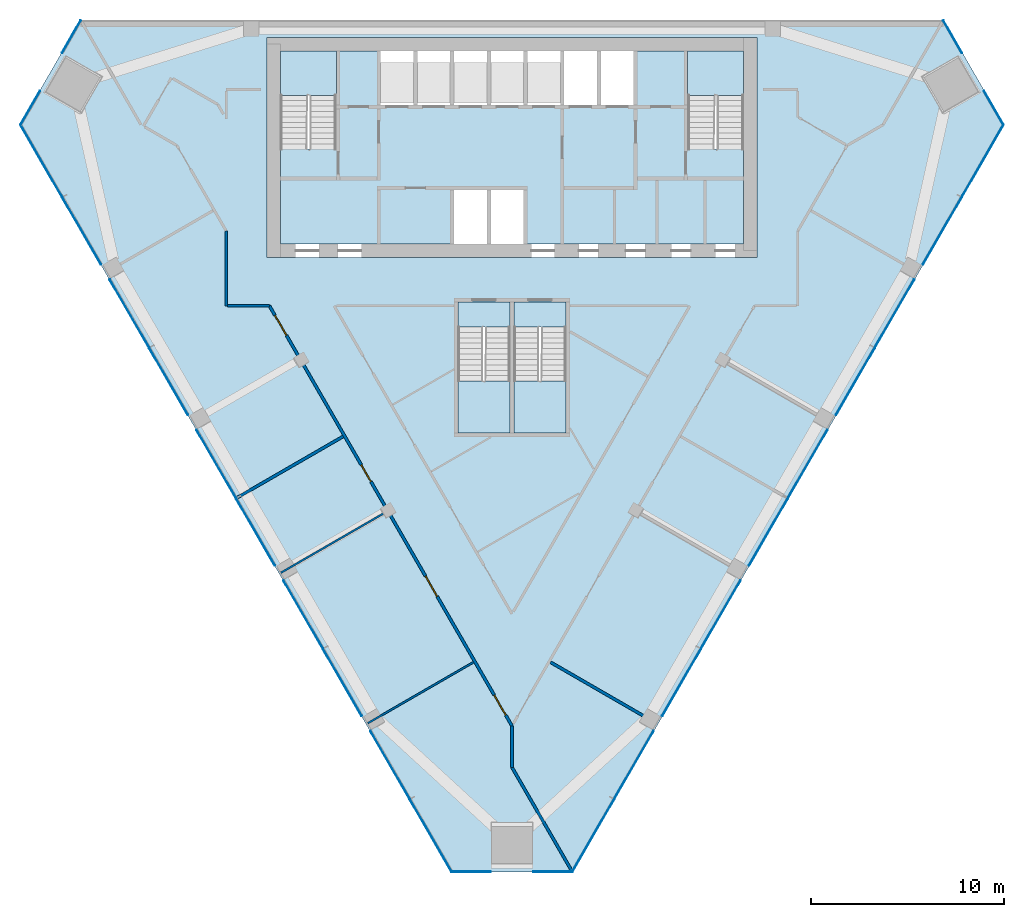
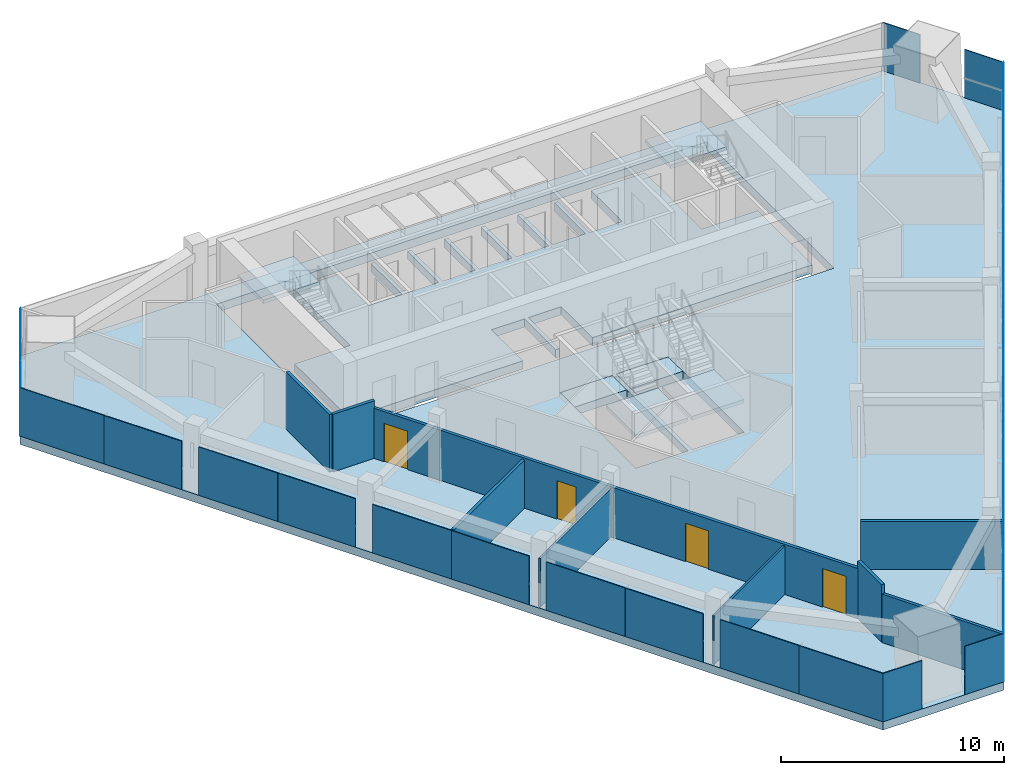
# One storey, part 8 of 13: 26 plates, 9 walls, 8 slabs, 4 doors, 4 openings, 9 elements without a shape of their own.
"""IFC4 building model written with IfcOpenShell, lengths in metres."""

from ifc_helpers import new_model, si_unit, direction, frame, frame_2d, origin, origin_2d, place, context, subcontext, project, spatial, polyline, rectangle, outline, extrude, material, layer, layer_set, type_object, element, fill, aggregate, save


model = new_model("IFC4")

# Units and contexts
model_context = context("Model", 3, precision=1e-05, world=origin(), true_north=direction((0.0, 1.0)))
body_context = subcontext(model_context, "Body", "Model", "MODEL_VIEW")
ifc_project = project(units=[si_unit("LENGTHUNIT", "METRE"), si_unit("AREAUNIT", "SQUARE_METRE"), si_unit("VOLUMEUNIT", "CUBIC_METRE"), si_unit("PLANEANGLEUNIT", "RADIAN"), si_unit("MASSUNIT", "GRAM", prefix="KILO")], contexts=[model_context])

# Site, building, storey
site_placement = place(None, origin())
site = spatial("IfcSite", under=ifc_project, at=site_placement, CompositionType="ELEMENT")
building_placement = place(site_placement, origin())
building = spatial("IfcBuilding", under=site, at=building_placement, Name="Altiplano Prism Tower", CompositionType="ELEMENT")
storey_placement = place(building_placement, frame((0.0, 0.0, 201.60009765625)))
storey = spatial("IfcBuildingStorey", under=building, at=storey_placement, Name="L52", CompositionType="ELEMENT", Elevation=201.60009765625)

# Curtain wall, plates
ifc_material_1 = material(Name="Aluminium and glass", Category="aluminium")
ifc_layer_1 = layer(ifc_material_1, 0.303955078125)
ifc_layer_set_1 = layer_set([ifc_layer_1], Name="Aluminium and glass")
curtain_wall_type = type_object("IfcCurtainWallType", Name="CW2 lounge-band unitised glazing", PredefinedType="NOTDEFINED", material=ifc_layer_set_1)
curtain_wall_1_placement = place(storey_placement, origin())
curtain_wall_1 = element("IfcCurtainWall", 1, at=curtain_wall_1_placement, inside=storey, type_object=curtain_wall_type, Name="CW2 curtain wall north-west chamfer L52", PredefinedType="NOTDEFINED")
ifc_material_2 = material(Name="Clear glass", Category="glass")
ifc_layer_2 = layer(ifc_material_2, 0.0439453125)
ifc_layer_set_2 = layer_set([ifc_layer_2], Name="Clear glass")
plate_type = type_object("IfcPlateType", Name="CW2 insulated glass unit 44", PredefinedType="CURTAIN_PANEL", material=ifc_layer_set_2)
plate_1_placement = place(storey_placement, frame((62.18359375, 104.14306640625, 0.0), z_axis=(0.0, 0.0, 1.0), x_axis=(-0.50000004397, -0.866025378399, 0.0)))
plate_1 = element("IfcPlate", 2, at=plate_1_placement, type_object=plate_type, Name="CW2 panel", PredefinedType="CURTAIN_PANEL", context=body_context, shape_type="SweptSolid", body=[
    extrude(rectangle(XDim=1.943603515625, YDim=0.0439453125, at=origin_2d()), origin(), (0.0, 0.0, 1.0), 2.64990234375),
])
plate_2_placement = place(storey_placement, frame((60.046875, 100.442138671875, 0.0), z_axis=(0.0, 0.0, 1.0), x_axis=(-0.50000004397, -0.866025378399, 0.0)))
plate_2 = element("IfcPlate", 3, at=plate_2_placement, type_object=plate_type, Name="CW2 panel", PredefinedType="CURTAIN_PANEL", context=body_context, shape_type="SweptSolid", body=[
    extrude(rectangle(XDim=2.0234375, YDim=0.0439453125, at=origin_2d()), origin(), (0.0, 0.0, 1.0), 2.64990234375),
])
aggregate(curtain_wall_1, [plate_1, plate_2])

curtain_wall_2_placement = place(storey_placement, origin())
curtain_wall_2 = element("IfcCurtainWall", 4, at=curtain_wall_2_placement, inside=storey, type_object=curtain_wall_type, Name="CW2 curtain wall south-west face L52", PredefinedType="NOTDEFINED")
plate_3_placement = place(storey_placement, frame((60.625244140625, 97.701416015625, 0.0), z_axis=(0.0, 0.0, 1.0), x_axis=(0.499999992669, -0.866025408017, 0.0)))
plate_3 = element("IfcPlate", 5, at=plate_3_placement, type_object=plate_type, Name="CW2 panel", PredefinedType="CURTAIN_PANEL", context=body_context, shape_type="SweptSolid", body=[
    extrude(rectangle(XDim=4.337158203125, YDim=0.0439453125, at=origin_2d()), origin(), (0.0, 0.0, 1.0), 2.64990234375),
])
plate_4_placement = place(storey_placement, frame((62.717041015625, 94.078125, 0.0), z_axis=(0.0, 0.0, 1.0), x_axis=(0.499999992669, -0.866025408017, 0.0)))
plate_4 = element("IfcPlate", 6, at=plate_4_placement, type_object=plate_type, Name="CW2 panel", PredefinedType="CURTAIN_PANEL", context=body_context, shape_type="SweptSolid", body=[
    extrude(rectangle(XDim=4.010498046875, YDim=0.0439453125, at=origin_2d()), origin(), (0.0, 0.0, 1.0), 2.64990234375),
])
plate_5_placement = place(storey_placement, frame((65.187255859375, 89.7998046875, 0.0), z_axis=(0.0, 0.0, 1.0), x_axis=(0.499999992669, -0.866025408017, 0.0)))
plate_5 = element("IfcPlate", 7, at=plate_5_placement, type_object=plate_type, Name="CW2 panel", PredefinedType="CURTAIN_PANEL", context=body_context, shape_type="SweptSolid", body=[
    extrude(rectangle(XDim=4.08935546875, YDim=0.0439453125, at=origin_2d()), origin(), (0.0, 0.0, 1.0), 2.64990234375),
])
plate_6_placement = place(storey_placement, frame((67.217041015625, 86.28369140625, 0.0), z_axis=(0.0, 0.0, 1.0), x_axis=(0.499999992669, -0.866025408017, 0.0)))
plate_6 = element("IfcPlate", 8, at=plate_6_placement, type_object=plate_type, Name="CW2 panel", PredefinedType="CURTAIN_PANEL", context=body_context, shape_type="SweptSolid", body=[
    extrude(rectangle(XDim=4.010498046875, YDim=0.0439453125, at=origin_2d()), origin(), (0.0, 0.0, 1.0), 2.64990234375),
])
plate_7_placement = place(storey_placement, frame((69.687255859375, 82.005615234375, 0.0), z_axis=(0.0, 0.0, 1.0), x_axis=(0.499999992669, -0.866025408017, 0.0)))
plate_7 = element("IfcPlate", 9, at=plate_7_placement, type_object=plate_type, Name="CW2 panel", PredefinedType="CURTAIN_PANEL", context=body_context, shape_type="SweptSolid", body=[
    extrude(rectangle(XDim=4.08935546875, YDim=0.0439453125, at=origin_2d()), origin(), (0.0, 0.0, 1.0), 2.64990234375),
])
plate_8_placement = place(storey_placement, frame((71.717041015625, 78.489501953125, 0.0), z_axis=(0.0, 0.0, 1.0), x_axis=(0.499999992669, -0.866025408017, 0.0)))
plate_8 = element("IfcPlate", 10, at=plate_8_placement, type_object=plate_type, Name="CW2 panel", PredefinedType="CURTAIN_PANEL", context=body_context, shape_type="SweptSolid", body=[
    extrude(rectangle(XDim=4.010498046875, YDim=0.0439453125, at=origin_2d()), origin(), (0.0, 0.0, 1.0), 2.64990234375),
])
plate_9_placement = place(storey_placement, frame((74.187255859375, 74.21142578125, 0.0), z_axis=(0.0, 0.0, 1.0), x_axis=(0.499999992669, -0.866025408017, 0.0)))
plate_9 = element("IfcPlate", 11, at=plate_9_placement, type_object=plate_type, Name="CW2 panel", PredefinedType="CURTAIN_PANEL", context=body_context, shape_type="SweptSolid", body=[
    extrude(rectangle(XDim=4.08935546875, YDim=0.0439453125, at=origin_2d()), origin(), (0.0, 0.0, 1.0), 2.64990234375),
])
plate_10_placement = place(storey_placement, frame((76.217041015625, 70.6953125, 0.0), z_axis=(0.0, 0.0, 1.0), x_axis=(0.499999992669, -0.866025408017, 0.0)))
plate_10 = element("IfcPlate", 12, at=plate_10_placement, type_object=plate_type, Name="CW2 panel", PredefinedType="CURTAIN_PANEL", context=body_context, shape_type="SweptSolid", body=[
    extrude(rectangle(XDim=4.010498046875, YDim=0.0439453125, at=origin_2d()), origin(), (0.0, 0.0, 1.0), 2.64990234375),
])
plate_11_placement = place(storey_placement, frame((78.687255859375, 66.417236328125, 0.0), z_axis=(0.0, 0.0, 1.0), x_axis=(0.499999992669, -0.866025408017, 0.0)))
plate_11 = element("IfcPlate", 13, at=plate_11_placement, type_object=plate_type, Name="CW2 panel", PredefinedType="CURTAIN_PANEL", context=body_context, shape_type="SweptSolid", body=[
    extrude(rectangle(XDim=4.08935546875, YDim=0.0439453125, at=origin_2d()), origin(), (0.0, 0.0, 1.0), 2.64990234375),
])
plate_12_placement = place(storey_placement, frame((80.798828125, 62.759765625, 0.0), z_axis=(0.0, 0.0, 1.0), x_axis=(0.499999992669, -0.866025408017, 0.0)))
plate_12 = element("IfcPlate", 14, at=plate_12_placement, type_object=plate_type, Name="CW2 panel", PredefinedType="CURTAIN_PANEL", context=body_context, shape_type="SweptSolid", body=[
    extrude(rectangle(XDim=4.337158203125, YDim=0.0439453125, at=origin_2d()), origin(), (0.0, 0.0, 1.0), 2.64990234375),
])
aggregate(curtain_wall_2, [plate_3, plate_4, plate_5, plate_6, plate_7, plate_8, plate_9, plate_10, plate_11, plate_12])

curtain_wall_3_placement = place(storey_placement, origin())
curtain_wall_3 = element("IfcCurtainWall", 15, at=curtain_wall_3_placement, inside=storey, type_object=curtain_wall_type, Name="CW2 curtain wall south chamfer L52", PredefinedType="NOTDEFINED")
plate_13_placement = place(storey_placement, frame((82.88330078125, 60.888427734375, 0.0), z_axis=(0.0, 0.0, 1.0), x_axis=(1.0, 0.0, 0.0)))
plate_13 = element("IfcPlate", 16, at=plate_13_placement, type_object=plate_type, Name="CW2 panel", PredefinedType="CURTAIN_PANEL", context=body_context, shape_type="SweptSolid", body=[
    extrude(rectangle(XDim=2.0234375, YDim=0.0439453125, at=origin_2d()), origin(), (0.0, 0.0, 1.0), 2.64990234375),
])
plate_14_placement = place(storey_placement, frame((87.11669921875, 60.888427734375, 0.0), z_axis=(0.0, 0.0, 1.0), x_axis=(1.0, 0.0, 0.0)))
plate_14 = element("IfcPlate", 17, at=plate_14_placement, type_object=plate_type, Name="CW2 panel", PredefinedType="CURTAIN_PANEL", context=body_context, shape_type="SweptSolid", body=[
    extrude(rectangle(XDim=2.0234375, YDim=0.0439453125, at=origin_2d()), origin(), (0.0, 0.0, 1.0), 2.64990234375),
])
aggregate(curtain_wall_3, [plate_13, plate_14])

curtain_wall_4_placement = place(storey_placement, origin())
curtain_wall_4 = element("IfcCurtainWall", 18, at=curtain_wall_4_placement, inside=storey, type_object=curtain_wall_type, Name="CW2 curtain wall south-east face L52", PredefinedType="NOTDEFINED")
plate_15_placement = place(storey_placement, frame((89.201171875, 62.759765625, 0.0), z_axis=(0.0, 0.0, 1.0), x_axis=(0.499999992669, 0.866025408017, 0.0)))
plate_15 = element("IfcPlate", 19, at=plate_15_placement, type_object=plate_type, Name="CW2 panel", PredefinedType="CURTAIN_PANEL", context=body_context, shape_type="SweptSolid", body=[
    extrude(rectangle(XDim=4.337158203125, YDim=0.0439453125, at=origin_2d()), origin(), (0.0, 0.0, 1.0), 2.64990234375),
])
plate_16_placement = place(storey_placement, frame((91.312744140625, 66.417236328125, 0.0), z_axis=(0.0, 0.0, 1.0), x_axis=(0.499999992669, 0.866025408017, 0.0)))
plate_16 = element("IfcPlate", 20, at=plate_16_placement, type_object=plate_type, Name="CW2 panel", PredefinedType="CURTAIN_PANEL", context=body_context, shape_type="SweptSolid", body=[
    extrude(rectangle(XDim=4.08935546875, YDim=0.0439453125, at=origin_2d()), origin(), (0.0, 0.0, 1.0), 2.64990234375),
])
plate_17_placement = place(storey_placement, frame((93.782958984375, 70.6953125, 0.0), z_axis=(0.0, 0.0, 1.0), x_axis=(0.499999992669, 0.866025408017, 0.0)))
plate_17 = element("IfcPlate", 21, at=plate_17_placement, type_object=plate_type, Name="CW2 panel", PredefinedType="CURTAIN_PANEL", context=body_context, shape_type="SweptSolid", body=[
    extrude(rectangle(XDim=4.010498046875, YDim=0.0439453125, at=origin_2d()), origin(), (0.0, 0.0, 1.0), 2.64990234375),
])
plate_18_placement = place(storey_placement, frame((95.812744140625, 74.21142578125, 0.0), z_axis=(0.0, 0.0, 1.0), x_axis=(0.499999992669, 0.866025408017, 0.0)))
plate_18 = element("IfcPlate", 22, at=plate_18_placement, type_object=plate_type, Name="CW2 panel", PredefinedType="CURTAIN_PANEL", context=body_context, shape_type="SweptSolid", body=[
    extrude(rectangle(XDim=4.08935546875, YDim=0.0439453125, at=origin_2d()), origin(), (0.0, 0.0, 1.0), 2.64990234375),
])
plate_19_placement = place(storey_placement, frame((98.282958984375, 78.489501953125, 0.0), z_axis=(0.0, 0.0, 1.0), x_axis=(0.499999992669, 0.866025408017, 0.0)))
plate_19 = element("IfcPlate", 23, at=plate_19_placement, type_object=plate_type, Name="CW2 panel", PredefinedType="CURTAIN_PANEL", context=body_context, shape_type="SweptSolid", body=[
    extrude(rectangle(XDim=4.010498046875, YDim=0.0439453125, at=origin_2d()), origin(), (0.0, 0.0, 1.0), 2.64990234375),
])
plate_20_placement = place(storey_placement, frame((100.312744140625, 82.005615234375, 0.0), z_axis=(0.0, 0.0, 1.0), x_axis=(0.499999992669, 0.866025408017, 0.0)))
plate_20 = element("IfcPlate", 24, at=plate_20_placement, type_object=plate_type, Name="CW2 panel", PredefinedType="CURTAIN_PANEL", context=body_context, shape_type="SweptSolid", body=[
    extrude(rectangle(XDim=4.08935546875, YDim=0.0439453125, at=origin_2d()), origin(), (0.0, 0.0, 1.0), 2.64990234375),
])
plate_21_placement = place(storey_placement, frame((102.782958984375, 86.28369140625, 0.0), z_axis=(0.0, 0.0, 1.0), x_axis=(0.499999992669, 0.866025408017, 0.0)))
plate_21 = element("IfcPlate", 25, at=plate_21_placement, type_object=plate_type, Name="CW2 panel", PredefinedType="CURTAIN_PANEL", context=body_context, shape_type="SweptSolid", body=[
    extrude(rectangle(XDim=4.010498046875, YDim=0.0439453125, at=origin_2d()), origin(), (0.0, 0.0, 1.0), 2.64990234375),
])
plate_22_placement = place(storey_placement, frame((104.812744140625, 89.7998046875, 0.0), z_axis=(0.0, 0.0, 1.0), x_axis=(0.499999992669, 0.866025408017, 0.0)))
plate_22 = element("IfcPlate", 26, at=plate_22_placement, type_object=plate_type, Name="CW2 panel", PredefinedType="CURTAIN_PANEL", context=body_context, shape_type="SweptSolid", body=[
    extrude(rectangle(XDim=4.08935546875, YDim=0.0439453125, at=origin_2d()), origin(), (0.0, 0.0, 1.0), 2.64990234375),
])
plate_23_placement = place(storey_placement, frame((107.282958984375, 94.078125, 0.0), z_axis=(0.0, 0.0, 1.0), x_axis=(0.499999992669, 0.866025408017, 0.0)))
plate_23 = element("IfcPlate", 27, at=plate_23_placement, type_object=plate_type, Name="CW2 panel", PredefinedType="CURTAIN_PANEL", context=body_context, shape_type="SweptSolid", body=[
    extrude(rectangle(XDim=4.010498046875, YDim=0.0439453125, at=origin_2d()), origin(), (0.0, 0.0, 1.0), 2.64990234375),
])
plate_24_placement = place(storey_placement, frame((109.374755859375, 97.701416015625, 0.0), z_axis=(0.0, 0.0, 1.0), x_axis=(0.499999992669, 0.866025408017, 0.0)))
plate_24 = element("IfcPlate", 28, at=plate_24_placement, type_object=plate_type, Name="CW2 panel", PredefinedType="CURTAIN_PANEL", context=body_context, shape_type="SweptSolid", body=[
    extrude(rectangle(XDim=4.337158203125, YDim=0.0439453125, at=origin_2d()), origin(), (0.0, 0.0, 1.0), 2.64990234375),
])
aggregate(curtain_wall_4, [plate_15, plate_16, plate_17, plate_18, plate_19, plate_20, plate_21, plate_22, plate_23, plate_24])

curtain_wall_5_placement = place(storey_placement, origin())
curtain_wall_5 = element("IfcCurtainWall", 29, at=curtain_wall_5_placement, inside=storey, type_object=curtain_wall_type, Name="CW2 curtain wall north-east chamfer L52", PredefinedType="NOTDEFINED")
plate_25_placement = place(storey_placement, frame((109.953125, 100.442138671875, 0.0), z_axis=(0.0, 0.0, 1.0), x_axis=(-0.50000004397, 0.866025378399, 0.0)))
plate_25 = element("IfcPlate", 30, at=plate_25_placement, type_object=plate_type, Name="CW2 panel", PredefinedType="CURTAIN_PANEL", context=body_context, shape_type="SweptSolid", body=[
    extrude(rectangle(XDim=2.0234375, YDim=0.0439453125, at=origin_2d()), origin(), (0.0, 0.0, 1.0), 2.64990234375),
])
plate_26_placement = place(storey_placement, frame((107.81640625, 104.14306640625, 0.0), z_axis=(0.0, 0.0, 1.0), x_axis=(-0.50000004397, 0.866025378399, 0.0)))
plate_26 = element("IfcPlate", 31, at=plate_26_placement, type_object=plate_type, Name="CW2 panel", PredefinedType="CURTAIN_PANEL", context=body_context, shape_type="SweptSolid", body=[
    extrude(rectangle(XDim=1.943603515625, YDim=0.0439453125, at=origin_2d()), origin(), (0.0, 0.0, 1.0), 2.64990234375),
])
aggregate(curtain_wall_5, [plate_25, plate_26])

# Slabs
ifc_material_3 = material(Name="Concrete C40/50", Category="concrete")
ifc_layer_3 = layer(ifc_material_3, 0.449951171875)
ifc_layer_set_3 = layer_set([ifc_layer_3], Name="Concrete C40/50")
slab_type_1 = type_object("IfcSlabType", Name="Core floor slab 450", PredefinedType="FLOOR", material=ifc_layer_set_3)
slab_1_placement = place(storey_placement, frame((0.0, 0.0, -0.4501953125)))
element("IfcSlab", 32, at=slab_1_placement, inside=storey, type_object=slab_type_1, Name="Core floor slab L52", PredefinedType="FLOOR", context=body_context, shape_type="SweptSolid", body=[
    extrude(outline(polyline([(97.0, 98.31005859375), (94.10009765625, 98.31005859375), (94.10009765625, 103.39990234375), (91.300048828125, 103.39990234375), (91.300048828125, 100.60009765625), (89.60009765625, 100.60009765625), (89.60009765625, 103.39990234375), (89.39990234375, 103.39990234375), (89.39990234375, 100.60009765625), (87.699951171875, 100.60009765625), (87.699951171875, 103.39990234375), (87.5, 103.39990234375), (87.5, 100.60009765625), (85.800048828125, 100.60009765625), (85.800048828125, 103.39990234375), (85.60009765625, 103.39990234375), (85.60009765625, 100.60009765625), (83.89990234375, 100.60009765625), (83.89990234375, 103.39990234375), (83.699951171875, 103.39990234375), (83.699951171875, 100.60009765625), (82.0, 100.60009765625), (82.0, 103.39990234375), (81.800048828125, 103.39990234375), (81.800048828125, 100.60009765625), (80.10009765625, 100.60009765625), (80.10009765625, 103.39990234375), (79.89990234375, 103.39990234375), (79.89990234375, 100.60009765625), (78.199951171875, 100.60009765625), (78.199951171875, 103.39990234375), (75.89990234375, 103.39990234375), (75.89990234375, 98.31005859375), (73.0, 98.31005859375), (73.0, 93.39990234375), (82.0, 93.39990234375), (82.0, 96.199951171875), (83.699951171875, 96.199951171875), (83.699951171875, 93.39990234375), (83.89990234375, 93.39990234375), (83.89990234375, 96.199951171875), (85.60009765625, 96.199951171875), (85.60009765625, 93.39990234375), (97.0, 93.39990234375), (97.0, 98.31005859375)])), origin(), (0.0, 0.0, 1.0), 0.4501953125),
])
slab_2_placement = place(storey_placement, frame((0.0, 0.0, -0.4501953125)))
element("IfcSlab", 33, at=slab_2_placement, inside=storey, type_object=slab_type_1, Name="Stair 3A landing slab L52", PredefinedType="FLOOR", context=body_context, shape_type="SweptSolid", body=[
    extrude(outline(polyline([(82.199951171875, 89.096923828125), (84.89990234375, 89.096923828125), (84.89990234375, 90.39990234375), (82.199951171875, 90.39990234375), (82.199951171875, 89.096923828125)])), origin(), (0.0, 0.0, 1.0), 0.4501953125),
])
slab_3_placement = place(storey_placement, frame((0.0, 0.0, -0.4501953125)))
element("IfcSlab", 34, at=slab_3_placement, inside=storey, type_object=slab_type_1, Name="Stair 3B landing slab L52", PredefinedType="FLOOR", context=body_context, shape_type="SweptSolid", body=[
    extrude(outline(polyline([(85.10009765625, 89.096923828125), (87.800048828125, 89.096923828125), (87.800048828125, 90.39990234375), (85.10009765625, 90.39990234375), (85.10009765625, 89.096923828125)])), origin(), (0.0, 0.0, 1.0), 0.4501953125),
])
ifc_layer_4 = layer(ifc_material_3, 0.449951171875)
ifc_layer_set_4 = layer_set([ifc_layer_4], Name="Concrete C40/50")
slab_type_2 = type_object("IfcSlabType", Name="Post-tensioned flat slab 450", PredefinedType="FLOOR", material=ifc_layer_set_4)
slab_4_placement = place(storey_placement, frame((0.0, 0.0, -0.4501953125)))
element("IfcSlab", 35, at=slab_4_placement, inside=storey, type_object=slab_type_2, Name="Floor slab L52", PredefinedType="FLOOR", context=body_context, shape_type="SweptSolid", body=[
    extrude(outline(polyline([(81.866455078125, 60.8662109375), (59.519287109375, 99.57275390625), (62.65283203125, 105.0), (107.34716796875, 105.0), (110.480712890625, 99.57275390625), (88.133544921875, 60.8662109375), (81.866455078125, 60.8662109375)]), holes=[polyline([(72.300048828125, 104.10009765625), (72.300048828125, 92.699951171875), (97.699951171875, 92.699951171875), (97.699951171875, 104.10009765625), (72.300048828125, 104.10009765625)]), polyline([(84.89990234375, 90.39990234375), (82.199951171875, 90.39990234375), (82.199951171875, 83.60009765625), (84.89990234375, 83.60009765625), (84.89990234375, 90.39990234375)]), polyline([(87.800048828125, 83.60009765625), (87.800048828125, 90.39990234375), (85.10009765625, 90.39990234375), (85.10009765625, 83.60009765625), (87.800048828125, 83.60009765625)])]), origin(), (0.0, 0.0, 1.0), 0.4501953125),
])

# Stair, slab
stair_type_1 = type_object("IfcStairType", Name="Exit stair 1400", PredefinedType="HALF_TURN_STAIR", material=ifc_material_3)
stair_1_placement = place(storey_placement, origin())
stair_1 = element("IfcStair", 36, at=stair_1_placement, inside=storey, type_object=stair_type_1, Name="L52 Exit Stair 1", PredefinedType="HALF_TURN_STAIR")
ifc_layer_5 = layer(ifc_material_3, 0.199951171875)
ifc_layer_set_5 = layer_set([ifc_layer_5], Name="Concrete C40/50")
slab_type_3 = type_object("IfcSlabType", Name="Stair landing 200", PredefinedType="LANDING", material=ifc_layer_set_5)
slab_5_placement = place(storey_placement, frame((0.0, 0.0, 1.599853515625)))
slab_5 = element("IfcSlab", 37, at=slab_5_placement, type_object=slab_type_3, Name="ST1 landing 1", PredefinedType="LANDING", context=body_context, shape_type="SweptSolid", body=[
    extrude(outline(polyline([(75.89990234375, 101.096923828125), (75.89990234375, 103.39990234375), (73.0, 103.39990234375), (73.0, 101.096923828125), (75.89990234375, 101.096923828125)])), origin(), (0.0, 0.0, 1.0), 0.199951171875),
])
aggregate(stair_1, [slab_5])

stair_2_placement = place(storey_placement, origin())
stair_2 = element("IfcStair", 38, at=stair_2_placement, inside=storey, type_object=stair_type_1, Name="L52 Exit Stair 2", PredefinedType="HALF_TURN_STAIR")
slab_6_placement = place(storey_placement, frame((0.0, 0.0, 1.599853515625)))
slab_6 = element("IfcSlab", 39, at=slab_6_placement, type_object=slab_type_3, Name="ST2 landing 1", PredefinedType="LANDING", context=body_context, shape_type="SweptSolid", body=[
    extrude(outline(polyline([(97.0, 101.096923828125), (97.0, 103.39990234375), (94.10009765625, 103.39990234375), (94.10009765625, 101.096923828125), (97.0, 101.096923828125)])), origin(), (0.0, 0.0, 1.0), 0.199951171875),
])
aggregate(stair_2, [slab_6])

stair_type_2 = type_object("IfcStairType", Name="Exit stair 1300", PredefinedType="HALF_TURN_STAIR", material=ifc_material_3)
stair_3_placement = place(storey_placement, origin())
stair_3 = element("IfcStair", 40, at=stair_3_placement, inside=storey, type_object=stair_type_2, Name="L52 Exit Stair 3A", PredefinedType="HALF_TURN_STAIR")
slab_7_placement = place(storey_placement, frame((0.0, 0.0, 1.599853515625)))
slab_7 = element("IfcSlab", 41, at=slab_7_placement, type_object=slab_type_3, Name="ST3A landing 1", PredefinedType="LANDING", context=body_context, shape_type="SweptSolid", body=[
    extrude(outline(polyline([(82.199951171875, 86.302978515625), (82.199951171875, 83.60009765625), (84.89990234375, 83.60009765625), (84.89990234375, 86.302978515625), (82.199951171875, 86.302978515625)])), origin(), (0.0, 0.0, 1.0), 0.199951171875),
])
aggregate(stair_3, [slab_7])

stair_4_placement = place(storey_placement, origin())
stair_4 = element("IfcStair", 42, at=stair_4_placement, inside=storey, type_object=stair_type_2, Name="L52 Exit Stair 3B", PredefinedType="HALF_TURN_STAIR")
slab_8_placement = place(storey_placement, frame((0.0, 0.0, 1.599853515625)))
slab_8 = element("IfcSlab", 43, at=slab_8_placement, type_object=slab_type_3, Name="ST3B landing 1", PredefinedType="LANDING", context=body_context, shape_type="SweptSolid", body=[
    extrude(outline(polyline([(85.10009765625, 86.302978515625), (85.10009765625, 83.60009765625), (87.800048828125, 83.60009765625), (87.800048828125, 86.302978515625), (85.10009765625, 86.302978515625)])), origin(), (0.0, 0.0, 1.0), 0.199951171875),
])
aggregate(stair_4, [slab_8])

# Walls
ifc_material_4 = material(Name="Plasterboard on steel stud", Category="steel")
ifc_layer_6 = layer(ifc_material_4, 0.10009765625)
ifc_layer_set_6 = layer_set([ifc_layer_6], Name="Plasterboard on steel stud")
wall_type_1 = type_object("IfcWallType", Name="Partition 100 wet", PredefinedType="PARTITIONING", material=ifc_layer_set_6)
for number, where, z_axis, x_axis, name in (
    (44, (73.029541015625, 76.372314453125, 0.0), (0.0, 0.0, 1.0), (0.866015887322, 0.500016482634, 0.0), "Partition P03 L52 030"),
    (45, (77.529541015625, 68.578125, 0.0), (0.0, 0.0, 1.0), (0.866015887322, 0.500016482634, 0.0), "Partition P03 L52 031"),
):
    element("IfcWall", number, at=place(storey_placement, frame(where, z_axis=z_axis, x_axis=x_axis)), inside=storey, type_object=wall_type_1, Name=name, PredefinedType="PARTITIONING", context=body_context, shape_type="SweptSolid", body=[
        extrude(rectangle(XDim=6.324951171875, YDim=0.10009765625, at=frame_2d((3.16259765625, 0.0))), origin(), (0.0, 0.0, 1.0), 2.64990234375),
    ])
ifc_layer_7 = layer(ifc_material_4, 0.14990234375)
ifc_layer_set_7 = layer_set([ifc_layer_7], Name="Plasterboard on steel stud")
wall_type_2 = type_object("IfcWallType", Name="Partition 150 corridor", PredefinedType="PARTITIONING", material=ifc_layer_set_7)
wall_1_placement = place(storey_placement, frame((70.199951171875, 94.0732421875, 0.0), z_axis=(0.0, 0.0, 1.0), x_axis=(6.3039778e-05, -0.999999998013, 0.0)))
element("IfcWall", 46, at=wall_1_placement, inside=storey, type_object=wall_type_2, Name="Partition P06 L52 005", PredefinedType="PARTITIONING", context=body_context, shape_type="SweptSolid", body=[
    extrude(rectangle(XDim=3.872802734375, YDim=0.14990234375, at=frame_2d((1.9365234375, 0.0))), origin(), (0.0, 0.0, 1.0), 3.14990234375),
])
wall_2_placement = place(storey_placement, frame((70.275146484375, 90.200439453125, 0.0), z_axis=(0.0, 0.0, 1.0), x_axis=(0.999999974476, -0.000225937635, 0.0)))
element("IfcWall", 47, at=wall_2_placement, inside=storey, type_object=wall_type_2, Name="Partition P06 L52 006", PredefinedType="PARTITIONING", context=body_context, shape_type="SweptSolid", body=[
    extrude(rectangle(XDim=2.1611328125, YDim=0.14990234375, at=frame_2d((1.08056640625, 0.0))), origin(), (0.0, 0.0, 1.0), 3.14990234375),
])

# Wall, openings, doors
wall_3_placement = place(storey_placement, frame((72.436279296875, 90.199951171875, 0.0), z_axis=(0.0, 0.0, 1.0), x_axis=(0.500000280234, -0.866025241991, 0.0)))
wall_3 = element("IfcWall", 48, at=wall_3_placement, inside=storey, type_object=wall_type_2, Name="Partition P06 L52 007", PredefinedType="PARTITIONING", context=body_context, shape_type="SweptSolid", body=[
    extrude(rectangle(XDim=25.12744140625, YDim=0.14990234375, at=frame_2d((12.563720703125, 0.0))), origin(), (0.0, 0.0, 1.0), 2.75),
])
opening_1_placement = place(wall_3_placement, frame((0.572021484375, 0.0, 0.0)))
opening_1 = element("IfcOpeningElement", 49, at=opening_1_placement, cuts=wall_3, Name="Opening D1815", PredefinedType="OPENING", context=body_context, shape_type="SweptSolid", body=[
    extrude(rectangle(XDim=1.199951171875, YDim=2.10009765625, at=frame_2d((0.60009765625, 1.050048828125))), frame((0.0, 0.08544921875, 0.0), z_axis=(0.0, -1.0, 0.0), x_axis=(1.0, 0.0, 0.0)), (0.0, 0.0, 1.0), 0.1708984375),
])
opening_2_placement = place(wall_3_placement, frame((9.52197265625, 0.0, 0.0)))
opening_2 = element("IfcOpeningElement", 50, at=opening_2_placement, cuts=wall_3, Name="Opening D1816", PredefinedType="OPENING", context=body_context, shape_type="SweptSolid", body=[
    extrude(rectangle(XDim=1.0, YDim=2.10009765625, at=frame_2d((0.5, 1.050048828125))), frame((0.0, 0.08544921875, 0.0), z_axis=(0.0, -1.0, 0.0), x_axis=(1.0, 0.0, 0.0)), (0.0, 0.0, 1.0), 0.1708984375),
])
opening_3_placement = place(wall_3_placement, frame((16.172119140625, 0.0, 0.0)))
opening_3 = element("IfcOpeningElement", 51, at=opening_3_placement, cuts=wall_3, Name="Opening D1817", PredefinedType="OPENING", context=body_context, shape_type="SweptSolid", body=[
    extrude(rectangle(XDim=1.199951171875, YDim=2.10009765625, at=frame_2d((0.60009765625, 1.050048828125))), frame((0.0, 0.08544921875, 0.0), z_axis=(0.0, -1.0, 0.0), x_axis=(1.0, 0.0, 0.0)), (0.0, 0.0, 1.0), 0.1708984375),
])
opening_4_placement = place(wall_3_placement, frame((23.282958984375, 0.0, 0.0)))
opening_4 = element("IfcOpeningElement", 52, at=opening_4_placement, cuts=wall_3, Name="Opening D1818", PredefinedType="OPENING", context=body_context, shape_type="SweptSolid", body=[
    extrude(rectangle(XDim=1.199951171875, YDim=2.10009765625, at=frame_2d((0.60009765625, 1.050048828125))), frame((0.0, 0.08544921875, 0.0), z_axis=(0.0, -1.0, 0.0), x_axis=(1.0, 0.0, 0.0)), (0.0, 0.0, 1.0), 0.1708984375),
])
ifc_material_5 = material(Name="Timber", Category="wood")
door_type_1 = type_object("IfcDoorType", Name="Room door 1000 x 2100", OperationType="NOTDEFINED", PredefinedType="NOTDEFINED", material=ifc_material_5)
door_1_placement = place(opening_2_placement, origin())
door_1 = element("IfcDoor", 53, at=door_1_placement, inside=storey, type_object=door_type_1, Name="Door D1816", OperationType="SINGLE_SWING_LEFT", OverallHeight=2.10009765625, OverallWidth=1.0, PredefinedType="NOTDEFINED", context=body_context, shape_type="SweptSolid", body=[
    extrude(rectangle(XDim=1.0, YDim=2.10009765625, at=frame_2d((0.5, 1.050048828125))), frame((0.0, 0.02490234375, 0.0), z_axis=(0.0, -1.0, 0.0), x_axis=(1.0, 0.0, 0.0)), (0.0, 0.0, 1.0), 0.050048828125),
])
fill(opening_2, door_1)
door_type_2 = type_object("IfcDoorType", Name="Shared room door 1200 x 2100", OperationType="NOTDEFINED", PredefinedType="NOTDEFINED", material=ifc_material_5)
door_2_placement = place(opening_1_placement, origin())
door_2 = element("IfcDoor", 54, at=door_2_placement, inside=storey, type_object=door_type_2, Name="Door D1815", OperationType="SINGLE_SWING_RIGHT", OverallHeight=2.10009765625, OverallWidth=1.199951171875, PredefinedType="NOTDEFINED", context=body_context, shape_type="SweptSolid", body=[
    extrude(rectangle(XDim=1.199951171875, YDim=2.10009765625, at=frame_2d((0.60009765625, 1.050048828125))), frame((0.0, 0.02490234375, 0.0), z_axis=(0.0, -1.0, 0.0), x_axis=(1.0, 0.0, 0.0)), (0.0, 0.0, 1.0), 0.050048828125),
])
fill(opening_1, door_2)
door_3_placement = place(opening_3_placement, origin())
door_3 = element("IfcDoor", 55, at=door_3_placement, inside=storey, type_object=door_type_2, Name="Door D1817", OperationType="SINGLE_SWING_RIGHT", OverallHeight=2.10009765625, OverallWidth=1.199951171875, PredefinedType="NOTDEFINED", context=body_context, shape_type="SweptSolid", body=[
    extrude(rectangle(XDim=1.199951171875, YDim=2.10009765625, at=frame_2d((0.60009765625, 1.050048828125))), frame((0.0, 0.02490234375, 0.0), z_axis=(0.0, -1.0, 0.0), x_axis=(1.0, 0.0, 0.0)), (0.0, 0.0, 1.0), 0.050048828125),
])
fill(opening_3, door_3)
door_4_placement = place(opening_4_placement, origin())
door_4 = element("IfcDoor", 56, at=door_4_placement, inside=storey, type_object=door_type_2, Name="Door D1818", OperationType="SINGLE_SWING_LEFT", OverallHeight=2.10009765625, OverallWidth=1.199951171875, PredefinedType="NOTDEFINED", context=body_context, shape_type="SweptSolid", body=[
    extrude(rectangle(XDim=1.199951171875, YDim=2.10009765625, at=frame_2d((0.60009765625, 1.050048828125))), frame((0.0, 0.02490234375, 0.0), z_axis=(0.0, -1.0, 0.0), x_axis=(1.0, 0.0, 0.0)), (0.0, 0.0, 1.0), 0.050048828125),
])
fill(opening_4, door_4)

# Walls
ifc_layer_8 = layer(ifc_material_4, 0.14990234375)
ifc_layer_set_8 = layer_set([ifc_layer_8], Name="Plasterboard on steel stud")
wall_type_3 = type_object("IfcWallType", Name="Partition 150 party", PredefinedType="PARTITIONING", material=ifc_layer_set_8)
wall_4_placement = place(storey_placement, frame((70.779541015625, 80.26953125, 0.0), z_axis=(0.0, 0.0, 1.0), x_axis=(0.866032601554, 0.49998753289, 0.0)))
element("IfcWall", 57, at=wall_4_placement, inside=storey, type_object=wall_type_3, Name="Partition P01 L52 029", PredefinedType="PARTITIONING", context=body_context, shape_type="SweptSolid", body=[
    extrude(rectangle(XDim=6.324951171875, YDim=0.14990234375, at=frame_2d((3.16259765625, 0.0))), origin(), (0.0, 0.0, 1.0), 2.64990234375),
])
wall_5_placement = place(storey_placement, frame((88.088134765625, 60.945068359375, 0.0), z_axis=(0.0, 0.0, 1.0), x_axis=(-0.500012164329, 0.866018380592, 0.0)))
element("IfcWall", 58, at=wall_5_placement, inside=storey, type_object=wall_type_3, Name="Partition P01 L52 032", PredefinedType="PARTITIONING", context=body_context, shape_type="SweptSolid", body=[
    extrude(rectangle(XDim=6.176025390625, YDim=0.14990234375, at=frame_2d((3.087890625, 0.0))), origin(), (0.0, 0.0, 1.0), 2.64990234375),
])
wall_6_placement = place(storey_placement, frame((85.0, 66.293701171875, 0.0), z_axis=(0.0, 0.0, 1.0), x_axis=(0.0, 1.0, 0.0)))
element("IfcWall", 59, at=wall_6_placement, inside=storey, type_object=wall_type_3, Name="Partition P01 L52 033", PredefinedType="PARTITIONING", context=body_context, shape_type="SweptSolid", body=[
    extrude(rectangle(XDim=2.145263671875, YDim=0.14990234375, at=frame_2d((1.07275390625, 0.0))), origin(), (0.0, 0.0, 1.0), 3.14990234375),
])
wall_7_placement = place(storey_placement, frame((92.470458984375, 68.578125, 0.0), z_axis=(0.0, 0.0, 1.0), x_axis=(-0.866015887322, 0.500016482634, 0.0)))
element("IfcWall", 60, at=wall_7_placement, inside=storey, type_object=wall_type_3, Name="Partition P01 L52 034", PredefinedType="PARTITIONING", context=body_context, shape_type="SweptSolid", body=[
    extrude(rectangle(XDim=6.324951171875, YDim=0.14990234375, at=frame_2d((3.16259765625, 0.0))), origin(), (0.0, 0.0, 1.0), 2.64990234375),
])

save(model, "model.ifc")
